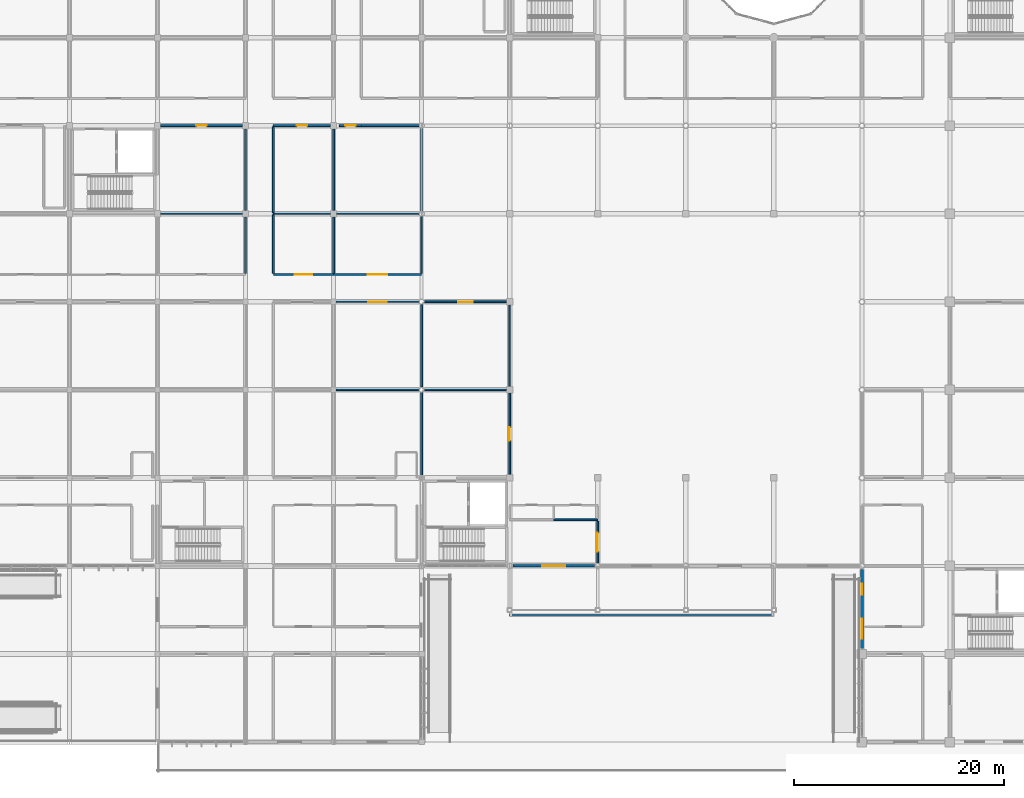
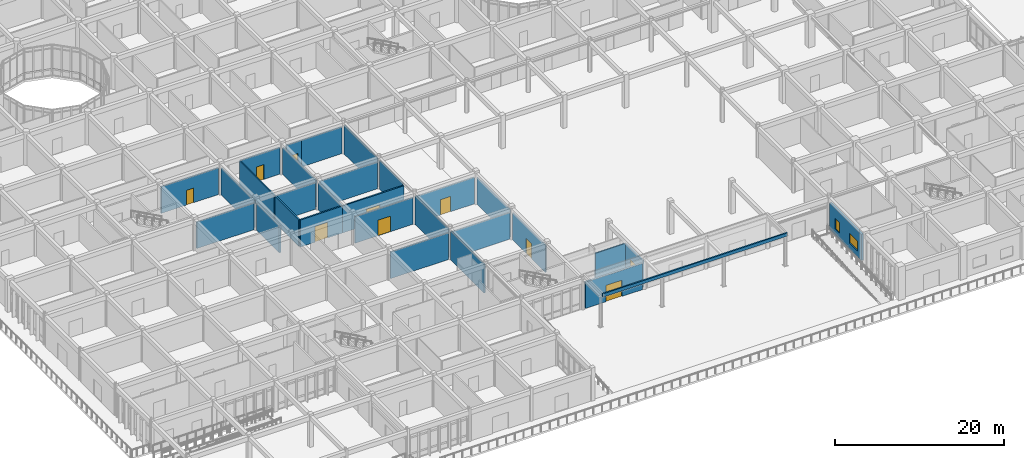
# One storey, part 93 of 138: 30 walls, 10 doors, 2 windows, 12 openings.
"""IFC4 building model written with IfcOpenShell, lengths in metres."""

from ifc_helpers import new_model, si_unit, direction, frame, frame_2d, origin, place, context, subcontext, project, spatial, rectangle, extrude, material, layer, layer_set, type_object, element, fill, save


model = new_model("IFC4")

# Units and contexts
model_context = context("Model", 3, precision=1e-05, world=origin(), true_north=direction((0.0, 1.0)))
body_context = subcontext(model_context, "Body", "Model", "MODEL_VIEW")
ifc_project = project(units=[si_unit("LENGTHUNIT", "METRE"), si_unit("AREAUNIT", "SQUARE_METRE"), si_unit("VOLUMEUNIT", "CUBIC_METRE"), si_unit("PLANEANGLEUNIT", "RADIAN"), si_unit("MASSUNIT", "GRAM", prefix="KILO")], contexts=[model_context])

# Site, building, storey
site_placement = place(None, origin())
site = spatial("IfcSite", under=ifc_project, at=site_placement, CompositionType="ELEMENT")
building_placement = place(site_placement, origin())
building = spatial("IfcBuilding", under=site, at=building_placement, Name="Bramfleet General Hospital", CompositionType="ELEMENT")
storey_placement = place(building_placement, origin())
storey = spatial("IfcBuildingStorey", under=building, at=storey_placement, Name="L00", CompositionType="ELEMENT", Elevation=0.0)

# Wall, openings, windows
ifc_material_1 = material(Name="Precast concrete C40/50", Category="concrete")
ifc_layer_1 = layer(ifc_material_1, 0.294921875, Name="WT-EW-05")
ifc_layer_set_1 = layer_set([ifc_layer_1], Name="Precast concrete C40/50")
wall_type_1 = type_object("IfcWallType", Name="WT-EW-05", PredefinedType="SOLIDWALL", material=ifc_layer_set_1)
wall_1_placement = place(storey_placement, frame((92.39990234375, 8.925048828125, 0.0), z_axis=(0.0, 0.0, 1.0), x_axis=(0.0, 1.0, 0.0)))
wall_1 = element("IfcWall", 1, at=wall_1_placement, inside=storey, type_object=wall_type_1, Name="L00 Exterior Wall 143", PredefinedType="SOLIDWALL", context=body_context, shape_type="SweptSolid", body=[
    extrude(rectangle(XDim=7.5458984375, YDim=0.294921875, at=frame_2d((3.77294921875, 0.0))), origin(), (0.0, 0.0, 1.0), 3.7900390625),
])
opening_1_placement = place(wall_1_placement, frame((0.9365234375, 0.0, 0.85009765625)))
opening_1 = element("IfcOpeningElement", 2, at=opening_1_placement, cuts=wall_1, Name="Opening W-20", PredefinedType="OPENING", context=body_context, shape_type="SweptSolid", body=[
    extrude(rectangle(XDim=1.89990234375, YDim=1.419921875, at=frame_2d((0.949951171875, 0.7099609375))), frame((0.0, 0.157470703125, 0.0), z_axis=(0.0, -1.0, 0.0), x_axis=(1.0, 0.0, 0.0)), (0.0, 0.0, 1.0), 0.31494140625),
])
opening_2_placement = place(wall_1_placement, frame((5.134521484375, 0.0, 0.85009765625)))
opening_2 = element("IfcOpeningElement", 3, at=opening_2_placement, cuts=wall_1, Name="Opening W-21", PredefinedType="OPENING", context=body_context, shape_type="SweptSolid", body=[
    extrude(rectangle(XDim=1.050048828125, YDim=1.5400390625, at=frame_2d((0.52490234375, 0.77001953125))), frame((0.0, 0.157470703125, 0.0), z_axis=(0.0, -1.0, 0.0), x_axis=(1.0, 0.0, 0.0)), (0.0, 0.0, 1.0), 0.31494140625),
])
ifc_material_2 = material(Name="Anodised aluminium and low-E triple glazing", Category="aluminium")
window_type_1 = type_object("IfcWindowType", Name="WIN-W-20", PartitioningType="SINGLE_PANEL", PredefinedType="WINDOW", material=ifc_material_2)
window_1_placement = place(opening_1_placement, origin())
window_1 = element("IfcWindow", 4, at=window_1_placement, inside=storey, type_object=window_type_1, Name="L00 Facade Window WIN-L00-143-1", OverallHeight=1.419921875, OverallWidth=1.89990234375, PartitioningType="SINGLE_PANEL", PredefinedType="WINDOW", context=body_context, shape_type="SweptSolid", body=[
    extrude(rectangle(XDim=1.89990234375, YDim=1.419921875, at=frame_2d((0.949951171875, 0.7099609375))), frame((0.0, 0.030029296875, 0.0), z_axis=(0.0, -1.0, 0.0), x_axis=(1.0, 0.0, 0.0)), (0.0, 0.0, 1.0), 0.06005859375),
])
fill(opening_1, window_1)
window_type_2 = type_object("IfcWindowType", Name="WIN-W-21", PartitioningType="SINGLE_PANEL", PredefinedType="WINDOW", material=ifc_material_2)
window_2_placement = place(opening_2_placement, origin())
window_2 = element("IfcWindow", 5, at=window_2_placement, inside=storey, type_object=window_type_2, Name="L00 Facade Window WIN-L00-143-2", OverallHeight=1.5400390625, OverallWidth=1.050048828125, PartitioningType="SINGLE_PANEL", PredefinedType="WINDOW", context=body_context, shape_type="SweptSolid", body=[
    extrude(rectangle(XDim=1.050048828125, YDim=1.5400390625, at=frame_2d((0.52490234375, 0.77001953125))), frame((0.0, 0.030029296875, 0.0), z_axis=(0.0, -1.0, 0.0), x_axis=(1.0, 0.0, 0.0)), (0.0, 0.0, 1.0), 0.06005859375),
])
fill(opening_2, window_2)

# Wall, opening, door
ifc_layer_2 = layer(ifc_material_1, 0.235107421875, Name="WT-EW-09")
ifc_layer_set_2 = layer_set([ifc_layer_2], Name="Precast concrete C40/50")
wall_type_2 = type_object("IfcWallType", Name="WT-EW-09", PredefinedType="SOLIDWALL", material=ifc_layer_set_2)
wall_2_placement = place(storey_placement, frame((66.87109375, 16.800048828125, 0.0), z_axis=(0.0, 0.0, 1.0), x_axis=(-1.0, 0.0, 0.0)))
wall_2 = element("IfcWall", 6, at=wall_2_placement, inside=storey, type_object=wall_type_2, Name="L00 Exterior Wall 147", PredefinedType="SOLIDWALL", context=body_context, shape_type="SweptSolid", body=[
    extrude(rectangle(XDim=7.7421875, YDim=0.235107421875, at=frame_2d((3.87109375, 0.0))), origin(), (0.0, 0.0, 1.0), 3.7900390625),
])
opening_3_placement = place(wall_2_placement, frame((2.77099609375, 0.0, 0.0)))
opening_3 = element("IfcOpeningElement", 7, at=opening_3_placement, cuts=wall_2, Name="Opening D-L00-EXT-016", PredefinedType="OPENING", context=body_context, shape_type="SweptSolid", body=[
    extrude(rectangle(XDim=2.199951171875, YDim=2.35009765625, at=frame_2d((1.10009765625, 1.175048828125))), frame((0.0, 0.12744140625, 0.0), z_axis=(0.0, -1.0, 0.0), x_axis=(1.0, 0.0, 0.0)), (0.0, 0.0, 1.0), 0.255126953125),
])
ifc_material_3 = material(Name="Thermally broken steel and laminated safety glass", Category="steel")
door_type_1 = type_object("IfcDoorType", Name="DR-ED-01", OperationType="NOTDEFINED", PredefinedType="DOOR", material=ifc_material_3)
door_1_placement = place(opening_3_placement, origin())
door_1 = element("IfcDoor", 8, at=door_1_placement, inside=storey, type_object=door_type_1, Name="Ground Exterior Pedestrian Door D-L00-EXT-016", OperationType="DOUBLE_SWING_LEFT", OverallHeight=2.35009765625, OverallWidth=2.199951171875, PredefinedType="DOOR", context=body_context, shape_type="SweptSolid", body=[
    extrude(rectangle(XDim=2.199951171875, YDim=2.35009765625, at=frame_2d((1.10009765625, 1.175048828125))), frame((0.0, 0.02490234375, 0.0), z_axis=(0.0, -1.0, 0.0), x_axis=(1.0, 0.0, 0.0)), (0.0, 0.0, 1.0), 0.050048828125),
])
fill(opening_3, door_1)

# Wall
ifc_material_4 = material(Name="Concrete C35/45", Category="concrete")
ifc_layer_3 = layer(ifc_material_4, 0.219970703125, Name="WT-IW-01")
ifc_layer_set_3 = layer_set([ifc_layer_3], Name="Concrete C35/45")
wall_type_3 = type_object("IfcWallType", Name="WT-IW-01", PredefinedType="PARTITIONING", material=ifc_layer_set_3)
wall_3_placement = place(storey_placement, frame((33.60009765625, 44.715087890625, 0.0), z_axis=(0.0, 0.0, 1.0), x_axis=(0.0, 1.0, 0.0)))
element("IfcWall", 9, at=wall_3_placement, inside=storey, type_object=wall_type_3, Name="L00 Interior Partition IW-L00-0961", PredefinedType="PARTITIONING", context=body_context, shape_type="SweptSolid", body=[
    extrude(rectangle(XDim=5.389892578125, YDim=0.219970703125, at=frame_2d((2.69482421875, 0.0))), origin(), (0.0, 0.0, 1.0), 3.889892578125),
])

# Wall, opening, door
ifc_layer_4 = layer(ifc_material_4, 0.205078125, Name="WT-IW-02")
ifc_layer_set_4 = layer_set([ifc_layer_4], Name="Concrete C35/45")
wall_type_4 = type_object("IfcWallType", Name="WT-IW-02", PredefinedType="PARTITIONING", material=ifc_layer_set_4)
wall_4_placement = place(storey_placement, frame((36.25, 44.60009765625, 0.0), z_axis=(0.0, 0.0, 1.0), x_axis=(1.0, 0.0, 0.0)))
wall_4 = element("IfcWall", 10, at=wall_4_placement, inside=storey, type_object=wall_type_4, Name="L00 Interior Partition IW-L00-0698", PredefinedType="PARTITIONING", context=body_context, shape_type="SweptSolid", body=[
    extrude(rectangle(XDim=5.75, YDim=0.205078125, at=frame_2d((2.875, 0.0))), origin(), (0.0, 0.0, 1.0), 3.889892578125),
])
opening_4_placement = place(wall_4_placement, frame((2.02490234375, 0.0, 0.0)))
opening_4 = element("IfcOpeningElement", 11, at=opening_4_placement, cuts=wall_4, Name="Opening D0455", PredefinedType="OPENING", context=body_context, shape_type="SweptSolid", body=[
    extrude(rectangle(XDim=1.699951171875, YDim=2.25, at=frame_2d((0.85009765625, 1.125))), frame((0.0, 0.112548828125, 0.0), z_axis=(0.0, -1.0, 0.0), x_axis=(1.0, 0.0, 0.0)), (0.0, 0.0, 1.0), 0.22509765625),
])
ifc_material_5 = material(Name="Stainless steel and acoustic timber leaf", Category="steel")
door_type_2 = type_object("IfcDoorType", Name="DR-D-07", OperationType="NOTDEFINED", PredefinedType="DOOR", material=ifc_material_5)
door_2_placement = place(opening_4_placement, origin())
door_2 = element("IfcDoor", 12, at=door_2_placement, inside=storey, type_object=door_type_2, Name="Emergency Department Exam Room 0405 Door D0455", OperationType="DOUBLE_SWING_RIGHT", OverallHeight=2.25, OverallWidth=1.699951171875, PredefinedType="DOOR", context=body_context, shape_type="SweptSolid", body=[
    extrude(rectangle(XDim=1.699951171875, YDim=2.25, at=frame_2d((0.85009765625, 1.125))), frame((0.0, 0.02490234375, 0.0), z_axis=(0.0, -1.0, 0.0), x_axis=(1.0, 0.0, 0.0)), (0.0, 0.0, 1.0), 0.050048828125),
])
fill(opening_4, door_2)

ifc_layer_5 = layer(ifc_material_4, 0.18994140625, Name="WT-IW-03")
ifc_layer_set_5 = layer_set([ifc_layer_5], Name="Concrete C35/45")
wall_type_5 = type_object("IfcWallType", Name="WT-IW-03", PredefinedType="PARTITIONING", material=ifc_layer_set_5)
wall_5_placement = place(storey_placement, frame((42.0, 44.60009765625, 0.0), z_axis=(0.0, 0.0, 1.0), x_axis=(1.0, 0.0, 0.0)))
wall_5 = element("IfcWall", 13, at=wall_5_placement, inside=storey, type_object=wall_type_5, Name="L00 Interior Partition IW-L00-0699", PredefinedType="PARTITIONING", context=body_context, shape_type="SweptSolid", body=[
    extrude(rectangle(XDim=8.39990234375, YDim=0.18994140625, at=frame_2d((4.199951171875, 0.0))), origin(), (0.0, 0.0, 1.0), 3.889892578125),
])
opening_5_placement = place(wall_5_placement, frame((3.280029296875, 0.0, 0.0)))
opening_5 = element("IfcOpeningElement", 14, at=opening_5_placement, cuts=wall_5, Name="Opening D0468", PredefinedType="OPENING", context=body_context, shape_type="SweptSolid", body=[
    extrude(rectangle(XDim=1.840087890625, YDim=2.280029296875, at=frame_2d((0.919921875, 1.14013671875))), frame((0.0, 0.10498046875, 0.0), z_axis=(0.0, -1.0, 0.0), x_axis=(1.0, 0.0, 0.0)), (0.0, 0.0, 1.0), 0.2099609375),
])
door_type_3 = type_object("IfcDoorType", Name="DR-D-20", OperationType="NOTDEFINED", PredefinedType="DOOR", material=ifc_material_5)
door_3_placement = place(opening_5_placement, origin())
door_3 = element("IfcDoor", 15, at=door_3_placement, inside=storey, type_object=door_type_3, Name="Emergency Department Exam Room 0505 Door D0468", OperationType="DOUBLE_SWING_LEFT", OverallHeight=2.280029296875, OverallWidth=1.840087890625, PredefinedType="DOOR", context=body_context, shape_type="SweptSolid", body=[
    extrude(rectangle(XDim=1.840087890625, YDim=2.280029296875, at=frame_2d((0.919921875, 1.14013671875))), frame((0.0, 0.02490234375, 0.0), z_axis=(0.0, -1.0, 0.0), x_axis=(1.0, 0.0, 0.0)), (0.0, 0.0, 1.0), 0.050048828125),
])
fill(opening_5, door_3)

ifc_layer_6 = layer(ifc_material_4, 0.179931640625, Name="WT-IW-04")
ifc_layer_set_6 = layer_set([ifc_layer_6], Name="Concrete C35/45")
wall_type_6 = type_object("IfcWallType", Name="WT-IW-04", PredefinedType="PARTITIONING", material=ifc_layer_set_6)
wall_6_placement = place(storey_placement, frame((25.4951171875, 58.800048828125, 0.0), z_axis=(0.0, 0.0, 1.0), x_axis=(1.0, 0.0, 0.0)))
wall_6 = element("IfcWall", 16, at=wall_6_placement, inside=storey, type_object=wall_type_6, Name="L00 Interior Partition IW-L00-0713", PredefinedType="PARTITIONING", context=body_context, shape_type="SweptSolid", body=[
    extrude(rectangle(XDim=7.809814453125, YDim=0.179931640625, at=frame_2d((3.90478515625, 0.0))), origin(), (0.0, 0.0, 1.0), 3.840087890625),
])
opening_6_placement = place(wall_6_placement, frame((3.4150390625, 0.0, 0.0)))
opening_6 = element("IfcOpeningElement", 17, at=opening_6_placement, cuts=wall_6, Name="Opening D0442", PredefinedType="OPENING", context=body_context, shape_type="SweptSolid", body=[
    extrude(rectangle(XDim=0.97998046875, YDim=2.1201171875, at=frame_2d((0.489990234375, 1.06005859375))), frame((0.0, 0.099853515625, 0.0), z_axis=(0.0, -1.0, 0.0), x_axis=(1.0, 0.0, 0.0)), (0.0, 0.0, 1.0), 0.199951171875),
])
door_type_4 = type_object("IfcDoorType", Name="DR-D-26", OperationType="NOTDEFINED", PredefinedType="DOOR", material=ifc_material_5)
door_4_placement = place(opening_6_placement, origin())
door_4 = element("IfcDoor", 18, at=door_4_placement, inside=storey, type_object=door_type_4, Name="Diagnostic Imaging CT and Radiography 0306 Door D0442", OperationType="SINGLE_SWING_LEFT", OverallHeight=2.1201171875, OverallWidth=0.97998046875, PredefinedType="DOOR", context=body_context, shape_type="SweptSolid", body=[
    extrude(rectangle(XDim=0.97998046875, YDim=2.1201171875, at=frame_2d((0.489990234375, 1.06005859375))), frame((0.0, 0.02490234375, 0.0), z_axis=(0.0, -1.0, 0.0), x_axis=(1.0, 0.0, 0.0)), (0.0, 0.0, 1.0), 0.050048828125),
])
fill(opening_6, door_4)

wall_7_placement = place(storey_placement, frame((36.25, 58.800048828125, 0.0), z_axis=(0.0, 0.0, 1.0), x_axis=(1.0, 0.0, 0.0)))
wall_7 = element("IfcWall", 19, at=wall_7_placement, inside=storey, type_object=wall_type_6, Name="L00 Interior Partition IW-L00-0714", PredefinedType="PARTITIONING", context=body_context, shape_type="SweptSolid", body=[
    extrude(rectangle(XDim=5.455078125, YDim=0.179931640625, at=frame_2d((2.7275390625, 0.0))), origin(), (0.0, 0.0, 1.0), 3.840087890625),
])
opening_7_placement = place(wall_7_placement, frame((2.2275390625, 0.0, 0.0)))
opening_7 = element("IfcOpeningElement", 20, at=opening_7_placement, cuts=wall_7, Name="Opening D0456", PredefinedType="OPENING", context=body_context, shape_type="SweptSolid", body=[
    extrude(rectangle(XDim=1.0, YDim=2.14990234375, at=frame_2d((0.5, 1.074951171875))), frame((0.0, 0.099853515625, 0.0), z_axis=(0.0, -1.0, 0.0), x_axis=(1.0, 0.0, 0.0)), (0.0, 0.0, 1.0), 0.199951171875),
])
door_type_5 = type_object("IfcDoorType", Name="DR-D-08", OperationType="NOTDEFINED", PredefinedType="DOOR", material=ifc_material_5)
door_5_placement = place(opening_7_placement, origin())
door_5 = element("IfcDoor", 21, at=door_5_placement, inside=storey, type_object=door_type_5, Name="Diagnostic Imaging CT and Radiography 0406 Door D0456", OperationType="SINGLE_SWING_LEFT", OverallHeight=2.14990234375, OverallWidth=1.0, PredefinedType="DOOR", context=body_context, shape_type="SweptSolid", body=[
    extrude(rectangle(XDim=1.0, YDim=2.14990234375, at=frame_2d((0.5, 1.074951171875))), frame((0.0, 0.02490234375, 0.0), z_axis=(0.0, -1.0, 0.0), x_axis=(1.0, 0.0, 0.0)), (0.0, 0.0, 1.0), 0.050048828125),
])
fill(opening_7, door_5)

wall_8_placement = place(storey_placement, frame((42.550048828125, 58.800048828125, 0.0), z_axis=(0.0, 0.0, 1.0), x_axis=(1.0, 0.0, 0.0)))
wall_8 = element("IfcWall", 22, at=wall_8_placement, inside=storey, type_object=wall_type_6, Name="L00 Interior Partition IW-L00-0715", PredefinedType="PARTITIONING", context=body_context, shape_type="SweptSolid", body=[
    extrude(rectangle(XDim=2.099853515625, YDim=0.179931640625, at=frame_2d((1.0498046875, 0.0))), origin(), (0.0, 0.0, 1.0), 3.840087890625),
])
opening_8_placement = place(wall_8_placement, frame((0.5400390625, 0.0, 0.0)))
opening_8 = element("IfcOpeningElement", 23, at=opening_8_placement, cuts=wall_8, Name="Opening D0469", PredefinedType="OPENING", context=body_context, shape_type="SweptSolid", body=[
    extrude(rectangle(XDim=1.02001953125, YDim=2.1201171875, at=frame_2d((0.510009765625, 1.06005859375))), frame((0.0, 0.099853515625, 0.0), z_axis=(0.0, -1.0, 0.0), x_axis=(1.0, 0.0, 0.0)), (0.0, 0.0, 1.0), 0.199951171875),
])
door_type_6 = type_object("IfcDoorType", Name="DR-D-21", OperationType="NOTDEFINED", PredefinedType="DOOR", material=ifc_material_5)
door_6_placement = place(opening_8_placement, origin())
door_6 = element("IfcDoor", 24, at=door_6_placement, inside=storey, type_object=door_type_6, Name="Diagnostic Imaging CT and Radiography 0506 Door D0469", OperationType="SINGLE_SWING_RIGHT", OverallHeight=2.1201171875, OverallWidth=1.02001953125, PredefinedType="DOOR", context=body_context, shape_type="SweptSolid", body=[
    extrude(rectangle(XDim=1.02001953125, YDim=2.1201171875, at=frame_2d((0.510009765625, 1.06005859375))), frame((0.0, 0.02490234375, 0.0), z_axis=(0.0, -1.0, 0.0), x_axis=(1.0, 0.0, 0.0)), (0.0, 0.0, 1.0), 0.050048828125),
])
fill(opening_8, door_6)

# Walls
wall_9_placement = place(storey_placement, frame((44.64990234375, 58.800048828125, 0.0), z_axis=(0.0, 0.0, 1.0), x_axis=(1.0, 0.0, 0.0)))
element("IfcWall", 25, at=wall_9_placement, inside=storey, type_object=wall_type_6, Name="L00 Interior Partition IW-L00-0716", PredefinedType="PARTITIONING", context=body_context, shape_type="SweptSolid", body=[
    extrude(rectangle(XDim=5.5009765625, YDim=0.179931640625, at=frame_2d((2.75048828125, 0.0))), origin(), (0.0, 0.0, 1.0), 3.840087890625),
])
wall_10_placement = place(storey_placement, frame((33.60009765625, 50.695068359375, 0.0), z_axis=(0.0, 0.0, 1.0), x_axis=(0.0, 1.0, 0.0)))
element("IfcWall", 26, at=wall_10_placement, inside=storey, type_object=wall_type_6, Name="L00 Interior Partition IW-L00-0962", PredefinedType="PARTITIONING", context=body_context, shape_type="SweptSolid", body=[
    extrude(rectangle(XDim=7.809814453125, YDim=0.179931640625, at=frame_2d((3.90478515625, 0.0))), origin(), (0.0, 0.0, 1.0), 3.889892578125),
])
wall_11_placement = place(storey_placement, frame((36.25, 44.715087890625, 0.0), z_axis=(0.0, 0.0, 1.0), x_axis=(0.0, 1.0, 0.0)))
element("IfcWall", 27, at=wall_11_placement, inside=storey, type_object=wall_type_6, Name="L00 Interior Partition IW-L00-0976", PredefinedType="PARTITIONING", context=body_context, shape_type="SweptSolid", body=[
    extrude(rectangle(XDim=5.56982421875, YDim=0.179931640625, at=frame_2d((2.784912109375, 0.0))), origin(), (0.0, 0.0, 1.0), 3.840087890625),
])
wall_12_placement = place(storey_placement, frame((36.25, 50.514892578125, 0.0), z_axis=(0.0, 0.0, 1.0), x_axis=(0.0, 1.0, 0.0)))
element("IfcWall", 28, at=wall_12_placement, inside=storey, type_object=wall_type_6, Name="L00 Interior Partition IW-L00-0977", PredefinedType="PARTITIONING", context=body_context, shape_type="SweptSolid", body=[
    extrude(rectangle(XDim=8.170166015625, YDim=0.179931640625, at=frame_2d((4.0849609375, 0.0))), origin(), (0.0, 0.0, 1.0), 3.840087890625),
])
wall_13_placement = place(storey_placement, frame((42.0, 44.715087890625, 0.0), z_axis=(0.0, 0.0, 1.0), x_axis=(0.0, 1.0, 0.0)))
element("IfcWall", 29, at=wall_13_placement, inside=storey, type_object=wall_type_6, Name="L00 Interior Partition IW-L00-0988", PredefinedType="PARTITIONING", context=body_context, shape_type="SweptSolid", body=[
    extrude(rectangle(XDim=5.389892578125, YDim=0.179931640625, at=frame_2d((2.69482421875, 0.0))), origin(), (0.0, 0.0, 1.0), 3.889892578125),
])
wall_14_placement = place(storey_placement, frame((42.0, 50.695068359375, 0.0), z_axis=(0.0, 0.0, 1.0), x_axis=(0.0, 1.0, 0.0)))
element("IfcWall", 30, at=wall_14_placement, inside=storey, type_object=wall_type_6, Name="L00 Interior Partition IW-L00-0989", PredefinedType="PARTITIONING", context=body_context, shape_type="SweptSolid", body=[
    extrude(rectangle(XDim=7.809814453125, YDim=0.179931640625, at=frame_2d((3.90478515625, 0.0))), origin(), (0.0, 0.0, 1.0), 3.889892578125),
])
for number, where, z_axis, x_axis, name in (
    (31, (50.39990234375, 25.448974609375, 0.0), (0.0, 0.0, 1.0), (0.0, 1.0, 0.0), "L00 Interior Partition IW-L00-1012"),
    (32, (50.39990234375, 50.64892578125, 0.0), (0.0, 0.0, 1.0), (0.0, 1.0, 0.0), "L00 Interior Partition IW-L00-1015"),
):
    element("IfcWall", number, at=place(storey_placement, frame(where, z_axis=z_axis, x_axis=x_axis)), inside=storey, type_object=wall_type_6, Name=name, PredefinedType="PARTITIONING", context=body_context, shape_type="SweptSolid", body=[
        extrude(rectangle(XDim=7.902099609375, YDim=0.179931640625, at=frame_2d((3.951171875, 0.0))), origin(), (0.0, 0.0, 1.0), 4.090087890625),
    ])

# Wall, opening, door
wall_15_placement = place(storey_placement, frame((67.199951171875, 17.049072265625, 0.0), z_axis=(0.0, 0.0, 1.0), x_axis=(0.0, 1.0, 0.0)))
wall_15 = element("IfcWall", 33, at=wall_15_placement, inside=storey, type_object=wall_type_6, Name="L00 Interior Partition IW-L00-1036", PredefinedType="PARTITIONING", context=body_context, shape_type="SweptSolid", body=[
    extrude(rectangle(XDim=4.035888671875, YDim=0.179931640625, at=frame_2d((2.01806640625, 0.0))), origin(), (0.0, 0.0, 1.0), 3.889892578125),
])
opening_9_placement = place(wall_15_placement, frame((1.117919921875, 0.0, 0.0)))
opening_9 = element("IfcOpeningElement", 34, at=opening_9_placement, cuts=wall_15, Name="Opening D0485", PredefinedType="OPENING", context=body_context, shape_type="SweptSolid", body=[
    extrude(rectangle(XDim=1.800048828125, YDim=2.25, at=frame_2d((0.89990234375, 1.125))), frame((0.0, 0.099853515625, 0.0), z_axis=(0.0, -1.0, 0.0), x_axis=(1.0, 0.0, 0.0)), (0.0, 0.0, 1.0), 0.199951171875),
])
door_type_7 = type_object("IfcDoorType", Name="DR-D-05", OperationType="NOTDEFINED", PredefinedType="DOOR", material=ifc_material_5)
door_7_placement = place(opening_9_placement, origin())
door_7 = element("IfcDoor", 35, at=door_7_placement, inside=storey, type_object=door_type_7, Name="Fire Command Room Door D0485", OperationType="DOUBLE_SWING_RIGHT", OverallHeight=2.25, OverallWidth=1.800048828125, PredefinedType="DOOR", context=body_context, shape_type="SweptSolid", body=[
    extrude(rectangle(XDim=1.800048828125, YDim=2.25, at=frame_2d((0.89990234375, 1.125))), frame((0.0, 0.02490234375, 0.0), z_axis=(0.0, -1.0, 0.0), x_axis=(1.0, 0.0, 0.0)), (0.0, 0.0, 1.0), 0.050048828125),
])
fill(opening_9, door_7)

ifc_material_6 = material(Name="Gypsum plasterboard on acoustic steel studs", Category="steel")
ifc_layer_7 = layer(ifc_material_6, 0.169921875, Name="WT-IW-05")
ifc_layer_set_7 = layer_set([ifc_layer_7], Name="Gypsum plasterboard on acoustic steel studs")
wall_type_7 = type_object("IfcWallType", Name="WT-IW-05", PredefinedType="PARTITIONING", material=ifc_layer_set_7)
wall_16_placement = place(storey_placement, frame((42.2451171875, 42.0, 0.0), z_axis=(0.0, 0.0, 1.0), x_axis=(1.0, 0.0, 0.0)))
wall_16 = element("IfcWall", 36, at=wall_16_placement, inside=storey, type_object=wall_type_7, Name="L00 Interior Partition IW-L00-0689", PredefinedType="PARTITIONING", context=body_context, shape_type="SweptSolid", body=[
    extrude(rectangle(XDim=7.90576171875, YDim=0.169921875, at=frame_2d((3.952880859375, 0.0))), origin(), (0.0, 0.0, 1.0), 3.840087890625),
])
opening_10_placement = place(wall_16_placement, frame((3.0830078125, 0.0, 0.0)))
opening_10 = element("IfcOpeningElement", 37, at=opening_10_placement, cuts=wall_16, Name="Opening D0467", PredefinedType="OPENING", context=body_context, shape_type="SweptSolid", body=[
    extrude(rectangle(XDim=1.739990234375, YDim=2.239990234375, at=frame_2d((0.8701171875, 1.1201171875))), frame((0.0, 0.094970703125, 0.0), z_axis=(0.0, -1.0, 0.0), x_axis=(1.0, 0.0, 0.0)), (0.0, 0.0, 1.0), 0.18994140625),
])
door_type_8 = type_object("IfcDoorType", Name="DR-D-19", OperationType="NOTDEFINED", PredefinedType="DOOR", material=ifc_material_5)
door_8_placement = place(opening_10_placement, origin())
door_8 = element("IfcDoor", 38, at=door_8_placement, inside=storey, type_object=door_type_8, Name="Emergency Department Exam Room 0504 Door D0467", OperationType="DOUBLE_SWING_RIGHT", OverallHeight=2.239990234375, OverallWidth=1.739990234375, PredefinedType="DOOR", context=body_context, shape_type="SweptSolid", body=[
    extrude(rectangle(XDim=1.739990234375, YDim=2.239990234375, at=frame_2d((0.8701171875, 1.1201171875))), frame((0.0, 0.02490234375, 0.0), z_axis=(0.0, -1.0, 0.0), x_axis=(1.0, 0.0, 0.0)), (0.0, 0.0, 1.0), 0.050048828125),
])
fill(opening_10, door_8)

# Walls
wall_17_placement = place(storey_placement, frame((50.39990234375, 33.84912109375, 0.0), z_axis=(0.0, 0.0, 1.0), x_axis=(0.0, 1.0, 0.0)))
element("IfcWall", 39, at=wall_17_placement, inside=storey, type_object=wall_type_7, Name="L00 Interior Partition IW-L00-1013", PredefinedType="PARTITIONING", context=body_context, shape_type="SweptSolid", body=[
    extrude(rectangle(XDim=7.90185546875, YDim=0.169921875, at=frame_2d((3.950927734375, 0.0))), origin(), (0.0, 0.0, 1.0), 4.090087890625),
])
ifc_layer_8 = layer(ifc_material_6, 0.159912109375, Name="WT-IW-06")
ifc_layer_set_8 = layer_set([ifc_layer_8], Name="Gypsum plasterboard on acoustic steel studs")
wall_type_8 = type_object("IfcWallType", Name="WT-IW-06", PredefinedType="PARTITIONING", material=ifc_layer_set_8)
wall_18_placement = place(storey_placement, frame((63.0, 21.199951171875, 0.0), z_axis=(0.0, 0.0, 1.0), x_axis=(1.0, 0.0, 0.0)))
element("IfcWall", 40, at=wall_18_placement, inside=storey, type_object=wall_type_8, Name="L00 Interior Partition IW-L00-0642", PredefinedType="PARTITIONING", context=body_context, shape_type="SweptSolid", body=[
    extrude(rectangle(XDim=4.199951171875, YDim=0.159912109375, at=frame_2d((2.10009765625, 0.0))), origin(), (0.0, 0.0, 1.0), 3.889892578125),
])
wall_19_placement = place(storey_placement, frame((42.2451171875, 33.60009765625, 0.0), z_axis=(0.0, 0.0, 1.0), x_axis=(1.0, 0.0, 0.0)))
element("IfcWall", 41, at=wall_19_placement, inside=storey, type_object=wall_type_8, Name="L00 Interior Partition IW-L00-0678", PredefinedType="PARTITIONING", context=body_context, shape_type="SweptSolid", body=[
    extrude(rectangle(XDim=7.90576171875, YDim=0.159912109375, at=frame_2d((3.952880859375, 0.0))), origin(), (0.0, 0.0, 1.0), 3.840087890625),
])

# Wall, opening, door
wall_20_placement = place(storey_placement, frame((50.64892578125, 42.0, 0.0), z_axis=(0.0, 0.0, 1.0), x_axis=(1.0, 0.0, 0.0)))
wall_20 = element("IfcWall", 42, at=wall_20_placement, inside=storey, type_object=wall_type_8, Name="L00 Interior Partition IW-L00-0690", PredefinedType="PARTITIONING", context=body_context, shape_type="SweptSolid", body=[
    extrude(rectangle(XDim=7.85595703125, YDim=0.159912109375, at=frame_2d((3.927978515625, 0.0))), origin(), (0.0, 0.0, 1.0), 3.840087890625),
])
opening_11_placement = place(wall_20_placement, frame((3.238037109375, 0.0, 0.0)))
opening_11 = element("IfcOpeningElement", 43, at=opening_11_placement, cuts=wall_20, Name="Opening D0478", PredefinedType="OPENING", context=body_context, shape_type="SweptSolid", body=[
    extrude(rectangle(XDim=1.3798828125, YDim=2.219970703125, at=frame_2d((0.68994140625, 1.10986328125))), frame((0.0, 0.08984375, 0.0), z_axis=(0.0, -1.0, 0.0), x_axis=(1.0, 0.0, 0.0)), (0.0, 0.0, 1.0), 0.179931640625),
])
door_type_9 = type_object("IfcDoorType", Name="DR-D-30", OperationType="NOTDEFINED", PredefinedType="DOOR", material=ifc_material_5)
door_9_placement = place(opening_11_placement, origin())
door_9 = element("IfcDoor", 44, at=door_9_placement, inside=storey, type_object=door_type_9, Name="Patient Admissions and Reception 04 Door D0478", OperationType="SINGLE_SWING_LEFT", OverallHeight=2.219970703125, OverallWidth=1.3798828125, PredefinedType="DOOR", context=body_context, shape_type="SweptSolid", body=[
    extrude(rectangle(XDim=1.3798828125, YDim=2.219970703125, at=frame_2d((0.68994140625, 1.10986328125))), frame((0.0, 0.02490234375, 0.0), z_axis=(0.0, -1.0, 0.0), x_axis=(1.0, 0.0, 0.0)), (0.0, 0.0, 1.0), 0.050048828125),
])
fill(opening_11, door_9)

# Wall
wall_21_placement = place(storey_placement, frame((50.39990234375, 44.715087890625, 0.0), z_axis=(0.0, 0.0, 1.0), x_axis=(0.0, 1.0, 0.0)))
element("IfcWall", 45, at=wall_21_placement, inside=storey, type_object=wall_type_8, Name="L00 Interior Partition IW-L00-1014", PredefinedType="PARTITIONING", context=body_context, shape_type="SweptSolid", body=[
    extrude(rectangle(XDim=5.435791015625, YDim=0.159912109375, at=frame_2d((2.7177734375, 0.0))), origin(), (0.0, 0.0, 1.0), 4.090087890625),
])

# Wall, opening, door
wall_22_placement = place(storey_placement, frame((58.800048828125, 25.4951171875, 0.0), z_axis=(0.0, 0.0, 1.0), x_axis=(0.0, 1.0, 0.0)))
wall_22 = element("IfcWall", 46, at=wall_22_placement, inside=storey, type_object=wall_type_8, Name="L00 Interior Partition IW-L00-1026", PredefinedType="PARTITIONING", context=body_context, shape_type="SweptSolid", body=[
    extrude(rectangle(XDim=7.809814453125, YDim=0.159912109375, at=frame_2d((3.90478515625, 0.0))), origin(), (0.0, 0.0, 1.0), 3.889892578125),
])
opening_12_placement = place(wall_22_placement, frame((3.264892578125, 0.0, 0.0)))
opening_12 = element("IfcOpeningElement", 47, at=opening_12_placement, cuts=wall_22, Name="Opening D0477", PredefinedType="OPENING", context=body_context, shape_type="SweptSolid", body=[
    extrude(rectangle(XDim=1.280029296875, YDim=2.179931640625, at=frame_2d((0.64013671875, 1.08984375))), frame((0.0, 0.08984375, 0.0), z_axis=(0.0, -1.0, 0.0), x_axis=(1.0, 0.0, 0.0)), (0.0, 0.0, 1.0), 0.179931640625),
])
door_type_10 = type_object("IfcDoorType", Name="DR-D-29", OperationType="NOTDEFINED", PredefinedType="DOOR", material=ifc_material_5)
door_10_placement = place(opening_12_placement, origin())
door_10 = element("IfcDoor", 48, at=door_10_placement, inside=storey, type_object=door_type_10, Name="Patient Admissions and Reception 03 Door D0477", OperationType="SINGLE_SWING_RIGHT", OverallHeight=2.179931640625, OverallWidth=1.280029296875, PredefinedType="DOOR", context=body_context, shape_type="SweptSolid", body=[
    extrude(rectangle(XDim=1.280029296875, YDim=2.179931640625, at=frame_2d((0.64013671875, 1.08984375))), frame((0.0, 0.02490234375, 0.0), z_axis=(0.0, -1.0, 0.0), x_axis=(1.0, 0.0, 0.0)), (0.0, 0.0, 1.0), 0.050048828125),
])
fill(opening_12, door_10)

# Walls
ifc_layer_9 = layer(ifc_material_6, 0.14990234375, Name="WT-IW-07")
ifc_layer_set_9 = layer_set([ifc_layer_9], Name="Gypsum plasterboard on acoustic steel studs")
wall_type_9 = type_object("IfcWallType", Name="WT-IW-07", PredefinedType="PARTITIONING", material=ifc_layer_set_9)
wall_23_placement = place(storey_placement, frame((50.64892578125, 33.60009765625, 0.0), z_axis=(0.0, 0.0, 1.0), x_axis=(1.0, 0.0, 0.0)))
element("IfcWall", 49, at=wall_23_placement, inside=storey, type_object=wall_type_9, Name="L00 Interior Partition IW-L00-0679", PredefinedType="PARTITIONING", context=body_context, shape_type="SweptSolid", body=[
    extrude(rectangle(XDim=7.85595703125, YDim=0.14990234375, at=frame_2d((3.927978515625, 0.0))), origin(), (0.0, 0.0, 1.0), 3.840087890625),
])
wall_24_placement = place(storey_placement, frame((58.800048828125, 33.89501953125, 0.0), z_axis=(0.0, 0.0, 1.0), x_axis=(0.0, 1.0, 0.0)))
element("IfcWall", 50, at=wall_24_placement, inside=storey, type_object=wall_type_9, Name="L00 Interior Partition IW-L00-1027", PredefinedType="PARTITIONING", context=body_context, shape_type="SweptSolid", body=[
    extrude(rectangle(XDim=7.81005859375, YDim=0.14990234375, at=frame_2d((3.905029296875, 0.0))), origin(), (0.0, 0.0, 1.0), 3.889892578125),
])
ifc_layer_10 = layer(ifc_material_6, 0.1298828125, Name="WT-IW-09")
ifc_layer_set_10 = layer_set([ifc_layer_10], Name="Gypsum plasterboard on acoustic steel studs")
wall_type_10 = type_object("IfcWallType", Name="WT-IW-09", PredefinedType="PARTITIONING", material=ifc_layer_set_10)
wall_25_placement = place(storey_placement, frame((25.4951171875, 50.39990234375, 0.0), z_axis=(0.0, 0.0, 1.0), x_axis=(1.0, 0.0, 0.0)))
element("IfcWall", 51, at=wall_25_placement, inside=storey, type_object=wall_type_10, Name="L00 Interior Partition IW-L00-0705", PredefinedType="PARTITIONING", context=body_context, shape_type="SweptSolid", body=[
    extrude(rectangle(XDim=7.809814453125, YDim=0.1298828125, at=frame_2d((3.90478515625, 0.0))), origin(), (0.0, 0.0, 1.0), 3.840087890625),
])
ifc_layer_11 = layer(ifc_material_6, 0.1201171875, Name="WT-IW-10")
ifc_layer_set_11 = layer_set([ifc_layer_11], Name="Gypsum plasterboard on acoustic steel studs")
wall_type_11 = type_object("IfcWallType", Name="WT-IW-10", PredefinedType="PARTITIONING", material=ifc_layer_set_11)
wall_26_placement = place(storey_placement, frame((36.25, 50.39990234375, 0.0), z_axis=(0.0, 0.0, 1.0), x_axis=(1.0, 0.0, 0.0)))
element("IfcWall", 52, at=wall_26_placement, inside=storey, type_object=wall_type_11, Name="L00 Interior Partition IW-L00-0706", PredefinedType="PARTITIONING", context=body_context, shape_type="SweptSolid", body=[
    extrude(rectangle(XDim=5.455078125, YDim=0.1201171875, at=frame_2d((2.7275390625, 0.0))), origin(), (0.0, 0.0, 1.0), 3.840087890625),
])
ifc_layer_12 = layer(ifc_material_6, 0.112060546875, Name="WT-IW-11")
ifc_layer_set_12 = layer_set([ifc_layer_12], Name="Gypsum plasterboard on acoustic steel studs")
wall_type_12 = type_object("IfcWallType", Name="WT-IW-11", PredefinedType="PARTITIONING", material=ifc_layer_set_12)
wall_27_placement = place(storey_placement, frame((42.294921875, 50.39990234375, 0.0), z_axis=(0.0, 0.0, 1.0), x_axis=(1.0, 0.0, 0.0)))
element("IfcWall", 53, at=wall_27_placement, inside=storey, type_object=wall_type_12, Name="L00 Interior Partition IW-L00-0707", PredefinedType="PARTITIONING", context=body_context, shape_type="SweptSolid", body=[
    extrude(rectangle(XDim=7.85595703125, YDim=0.112060546875, at=frame_2d((3.927978515625, 0.0))), origin(), (0.0, 0.0, 1.0), 3.840087890625),
])
ifc_layer_13 = layer(ifc_material_1, 0.199951171875, Name="WT-PW-01")
ifc_layer_set_13 = layer_set([ifc_layer_13], Name="Precast concrete C40/50")
wall_type_13 = type_object("IfcWallType", Name="WT-PW-01", PredefinedType="PARAPET", material=ifc_layer_set_13)
wall_28_placement = place(storey_placement, frame((58.800048828125, 12.110107421875, 4.580078125), z_axis=(0.0, 0.0, 1.0), x_axis=(1.0, 0.0, 0.0)))
element("IfcWall", 54, at=wall_28_placement, inside=storey, type_object=wall_type_13, Name="Roof Parapet Wall 1", PredefinedType="PARAPET", context=body_context, shape_type="SweptSolid", body=[
    extrude(rectangle(XDim=25.199951171875, YDim=0.199951171875, at=frame_2d((12.60009765625, 0.0))), origin(), (0.0, 0.0, 1.0), 0.469970703125),
])

save(model, "model.ifc")
